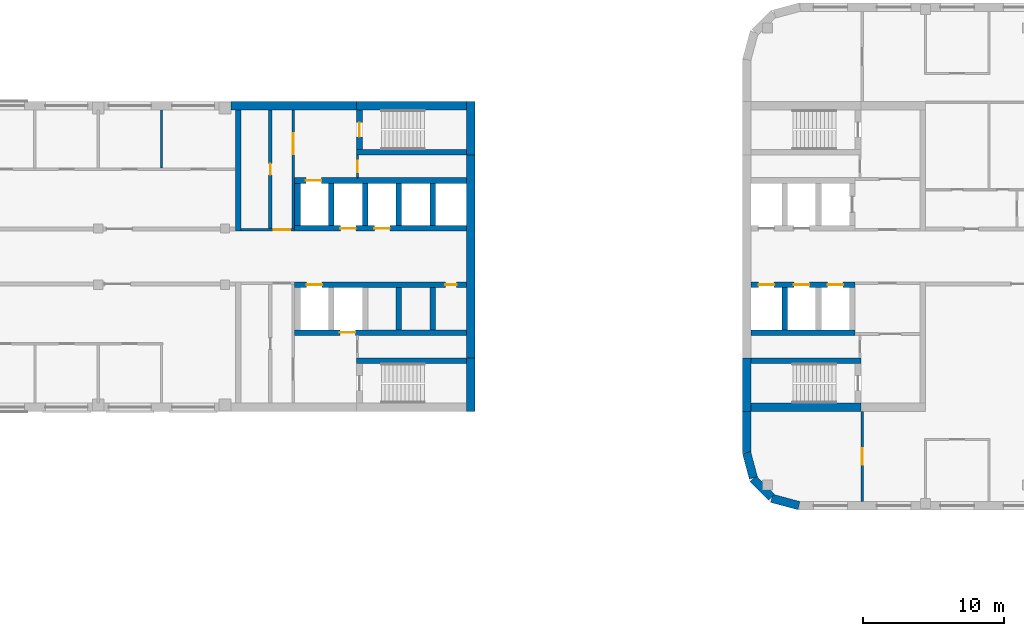
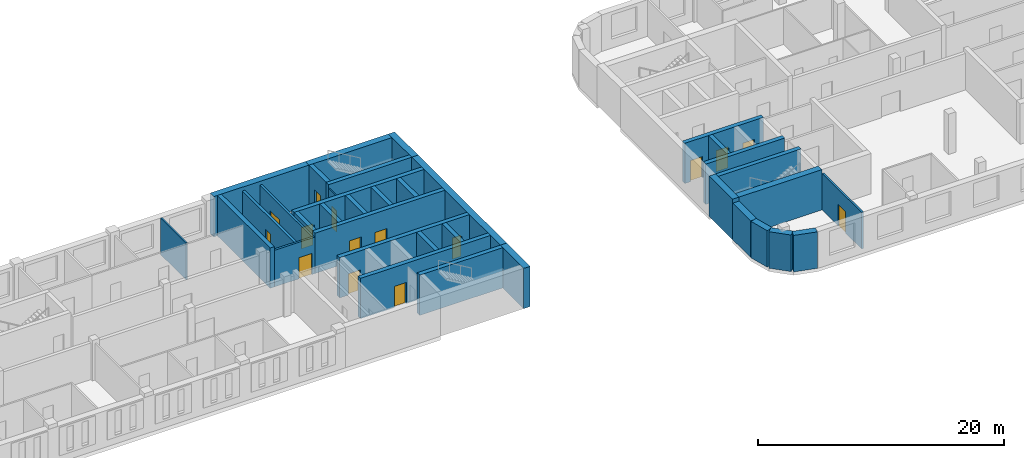
# One storey, part 6 of 12: 36 walls, 15 doors, 15 openings.
"""IFC4 building model written with IfcOpenShell, lengths in metres."""

from ifc_helpers import new_model, si_unit, direction, frame, frame_2d, origin, place, context, subcontext, project, spatial, rectangle, extrude, material, layer, layer_set, type_object, element, fill, save


model = new_model("IFC4")

# Units and contexts
model_context = context("Model", 3, precision=1e-05, world=origin(), true_north=direction((0.0, 1.0)))
body_context = subcontext(model_context, "Body", "Model", "MODEL_VIEW")
ifc_project = project(units=[si_unit("LENGTHUNIT", "METRE"), si_unit("AREAUNIT", "SQUARE_METRE"), si_unit("VOLUMEUNIT", "CUBIC_METRE"), si_unit("PLANEANGLEUNIT", "RADIAN"), si_unit("MASSUNIT", "GRAM", prefix="KILO")], contexts=[model_context])

# Site, building, storey
site_placement = place(None, origin())
site = spatial("IfcSite", under=ifc_project, at=site_placement, CompositionType="ELEMENT")
building_placement = place(site_placement, origin())
building = spatial("IfcBuilding", under=site, at=building_placement, Name="Skarvind Civic Tower", CompositionType="ELEMENT")
storey_placement = place(building_placement, frame((0.0, 0.0, 85.0)))
storey = spatial("IfcBuildingStorey", under=building, at=storey_placement, Name="L19", CompositionType="ELEMENT", Elevation=85.0)

# Wall, opening, door
ifc_material_1 = material(Name="Acoustic gypsum board on steel studs", Category="steel")
ifc_layer_1 = layer(ifc_material_1, 0.175048828125)
ifc_layer_set_1 = layer_set([ifc_layer_1], Name="ACOUSTIC MEETING-ROOM PARTITION 175")
wall_type_1 = type_object("IfcWallType", Name="ACOUSTIC MEETING-ROOM PARTITION 175", PredefinedType="PARTITIONING", material=ifc_layer_set_1)
wall_1_placement = place(storey_placement, frame((135.5, 117.0, 0.0), z_axis=(0.0, 0.0, 1.0), x_axis=(0.0, -1.0, 0.0)))
wall_1 = element("IfcWall", 1, at=wall_1_placement, inside=storey, type_object=wall_type_1, Name="Partition 19.001", PredefinedType="PARTITIONING", context=body_context, shape_type="SweptSolid", body=[
    extrude(rectangle(XDim=6.39990234375, YDim=0.175048828125, at=frame_2d((3.199951171875, 0.0))), origin(), (0.0, 0.0, 1.0), 3.625),
])
opening_1_placement = place(wall_1_placement, frame((2.60009765625, 0.0, 0.0)))
opening_1 = element("IfcOpeningElement", 2, at=opening_1_placement, cuts=wall_1, Name="Opening L19-D111", PredefinedType="OPENING", context=body_context, shape_type="SweptSolid", body=[
    extrude(rectangle(XDim=1.199951171875, YDim=2.10009765625, at=frame_2d((0.60009765625, 1.050048828125))), frame((0.0, 0.097412109375, 0.0), z_axis=(0.0, -1.0, 0.0), x_axis=(1.0, 0.0, 0.0)), (0.0, 0.0, 1.0), 0.195068359375),
])
ifc_material_2 = material(Name="Timber door leaf", Category="wood")
door_type_1 = type_object("IfcDoorType", Name="DOOR 1200X2100 DOUBLE TIMBER", OperationType="NOTDEFINED", PredefinedType="DOOR", material=ifc_material_2)
door_1_placement = place(opening_1_placement, origin())
door_1 = element("IfcDoor", 3, at=door_1_placement, inside=storey, type_object=door_type_1, Name="Door L19-D111", OperationType="DOUBLE_DOOR_SINGLE_SWING", OverallHeight=2.10009765625, OverallWidth=1.199951171875, PredefinedType="DOOR", context=body_context, shape_type="SweptSolid", body=[
    extrude(rectangle(XDim=1.199951171875, YDim=2.10009765625, at=frame_2d((0.60009765625, 1.050048828125))), frame((0.0, 0.02490234375, 0.0), z_axis=(0.0, -1.0, 0.0), x_axis=(1.0, 0.0, 0.0)), (0.0, 0.0, 1.0), 0.050048828125),
])
fill(opening_1, door_1)

ifc_material_3 = material(Name="Fire-rated masonry partition", Category="masonry")
ifc_layer_2 = layer(ifc_material_3, 0.199951171875)
ifc_layer_set_2 = layer_set([ifc_layer_2], Name="Core enclosure wall 200")
wall_type_2 = type_object("IfcWallType", Name="Core enclosure wall 200", PredefinedType="PARTITIONING", material=ifc_layer_set_2)
wall_2_placement = place(storey_placement, frame((91.39990234375, 129.89990234375, 0.0), z_axis=(0.0, 0.0, 1.0), x_axis=(1.0, 0.0, 0.0)))
wall_2 = element("IfcWall", 4, at=wall_2_placement, inside=storey, type_object=wall_type_2, Name="Core wall C1", PredefinedType="PARTITIONING", context=body_context, shape_type="SweptSolid", body=[
    extrude(rectangle(XDim=3.800048828125, YDim=0.199951171875, at=frame_2d((1.89990234375, 0.0))), origin(), (0.0, 0.0, 1.0), 3.625),
])
opening_2_placement = place(wall_2_placement, frame((2.300048828125, 0.0, 0.0)))
opening_2 = element("IfcOpeningElement", 5, at=opening_2_placement, cuts=wall_2, Name="Opening D-L19-C1-10", PredefinedType="OPENING", context=body_context, shape_type="SweptSolid", body=[
    extrude(rectangle(XDim=1.199951171875, YDim=2.10009765625, at=frame_2d((0.60009765625, 1.050048828125))), frame((0.0, 0.10986328125, 0.0), z_axis=(0.0, -1.0, 0.0), x_axis=(1.0, 0.0, 0.0)), (0.0, 0.0, 1.0), 0.219970703125),
])
ifc_material_4 = material(Name="Fire-rated steel door", Category="steel")
door_type_2 = type_object("IfcDoorType", Name="Core lobby door 1200", OperationType="NOTDEFINED", PredefinedType="DOOR", material=ifc_material_4)
door_2_placement = place(opening_2_placement, origin())
door_2 = element("IfcDoor", 6, at=door_2_placement, inside=storey, type_object=door_type_2, Name="Fire door", OperationType="DOUBLE_DOOR_SINGLE_SWING", OverallHeight=2.10009765625, OverallWidth=1.199951171875, PredefinedType="DOOR", context=body_context, shape_type="SweptSolid", body=[
    extrude(rectangle(XDim=1.199951171875, YDim=2.10009765625, at=frame_2d((0.60009765625, 1.050048828125))), frame((0.0, 0.02490234375, 0.0), z_axis=(0.0, -1.0, 0.0), x_axis=(1.0, 0.0, 0.0)), (0.0, 0.0, 1.0), 0.050048828125),
])
fill(opening_2, door_2)

wall_3_placement = place(storey_placement, frame((95.10009765625, 130.0, 0.0), z_axis=(0.0, 0.0, 1.0), x_axis=(0.0, 1.0, 0.0)))
wall_3 = element("IfcWall", 7, at=wall_3_placement, inside=storey, type_object=wall_type_2, Name="Core wall C1", PredefinedType="PARTITIONING", context=body_context, shape_type="SweptSolid", body=[
    extrude(rectangle(XDim=8.39990234375, YDim=0.199951171875, at=frame_2d((4.199951171875, 0.0))), origin(), (0.0, 0.0, 1.0), 3.625),
])
opening_3_placement = place(wall_3_placement, frame((5.25, 0.0, 0.0)))
opening_3 = element("IfcOpeningElement", 8, at=opening_3_placement, cuts=wall_3, Name="Opening D-L19-C1-11", PredefinedType="OPENING", context=body_context, shape_type="SweptSolid", body=[
    extrude(rectangle(XDim=1.5, YDim=2.10009765625, at=frame_2d((0.75, 1.050048828125))), frame((0.0, 0.10986328125, 0.0), z_axis=(0.0, -1.0, 0.0), x_axis=(1.0, 0.0, 0.0)), (0.0, 0.0, 1.0), 0.219970703125),
])
door_type_3 = type_object("IfcDoorType", Name="Fire door 1500", OperationType="NOTDEFINED", PredefinedType="DOOR", material=ifc_material_4)
door_3_placement = place(opening_3_placement, origin())
door_3 = element("IfcDoor", 9, at=door_3_placement, inside=storey, type_object=door_type_3, Name="Fire door", OperationType="DOUBLE_DOOR_SINGLE_SWING", OverallHeight=2.10009765625, OverallWidth=1.5, PredefinedType="DOOR", context=body_context, shape_type="SweptSolid", body=[
    extrude(rectangle(XDim=1.5, YDim=2.10009765625, at=frame_2d((0.75, 1.050048828125))), frame((0.0, 0.02490234375, 0.0), z_axis=(0.0, -1.0, 0.0), x_axis=(1.0, 0.0, 0.0)), (0.0, 0.0, 1.0), 0.050048828125),
])
fill(opening_3, door_3)

# Wall
ifc_material_5 = material(Name="Concrete C80", Category="concrete")
ifc_layer_3 = layer(ifc_material_5, 0.39990234375)
ifc_layer_set_3 = layer_set([ifc_layer_3], Name="Core wall 400 C80")
wall_type_3 = type_object("IfcWallType", Name="Core wall 400 C80", PredefinedType="SHEAR", material=ifc_layer_set_3)
wall_4_placement = place(storey_placement, frame((107.39990234375, 135.39990234375, 0.0), z_axis=(0.0, 0.0, 1.0), x_axis=(-1.0, 0.0, 0.0)))
element("IfcWall", 10, at=wall_4_placement, inside=storey, type_object=wall_type_3, Name="Core wall C1 south stair inner L19", PredefinedType="SHEAR", context=body_context, shape_type="SweptSolid", body=[
    extrude(rectangle(XDim=7.7998046875, YDim=0.39990234375, at=frame_2d((3.89990234375, 0.0))), origin(), (0.0, 0.0, 1.0), 4.0),
])

# Wall, opening, door
wall_5_placement = place(storey_placement, frame((99.800048828125, 138.39990234375, 0.0), z_axis=(0.0, 0.0, 1.0), x_axis=(0.0, -1.0, 0.0)))
wall_5 = element("IfcWall", 11, at=wall_5_placement, inside=storey, type_object=wall_type_3, Name="Core wall C1 south stair end L19", PredefinedType="SHEAR", context=body_context, shape_type="SweptSolid", body=[
    extrude(rectangle(XDim=2.7998046875, YDim=0.39990234375, at=frame_2d((1.39990234375, 0.0))), origin(), (0.0, 0.0, 1.0), 4.0),
])
opening_4_placement = place(wall_5_placement, frame((0.89990234375, 0.0, 0.0)))
opening_4 = element("IfcOpeningElement", 12, at=opening_4_placement, cuts=wall_5, Name="Opening D-L19-C1-12", PredefinedType="OPENING", context=body_context, shape_type="SweptSolid", body=[
    extrude(rectangle(XDim=1.0, YDim=2.10009765625, at=frame_2d((0.5, 1.050048828125))), frame((0.0, 0.2099609375, 0.0), z_axis=(0.0, -1.0, 0.0), x_axis=(1.0, 0.0, 0.0)), (0.0, 0.0, 1.0), 0.419921875),
])
door_type_4 = type_object("IfcDoorType", Name="Fire door 1000", OperationType="NOTDEFINED", PredefinedType="DOOR", material=ifc_material_4)
door_4_placement = place(opening_4_placement, origin())
door_4 = element("IfcDoor", 13, at=door_4_placement, inside=storey, type_object=door_type_4, Name="Fire door", OperationType="SINGLE_SWING_RIGHT", OverallHeight=2.10009765625, OverallWidth=1.0, PredefinedType="DOOR", context=body_context, shape_type="SweptSolid", body=[
    extrude(rectangle(XDim=1.0, YDim=2.10009765625, at=frame_2d((0.5, 1.050048828125))), frame((0.0, 0.02490234375, 0.0), z_axis=(0.0, -1.0, 0.0), x_axis=(1.0, 0.0, 0.0)), (0.0, 0.0, 1.0), 0.050048828125),
])
fill(opening_4, door_4)

# Wall
wall_6_placement = place(storey_placement, frame((107.39990234375, 120.60009765625, 0.0), z_axis=(0.0, 0.0, 1.0), x_axis=(-1.0, 0.0, 0.0)))
element("IfcWall", 14, at=wall_6_placement, inside=storey, type_object=wall_type_3, Name="Core wall C1 north stair inner L19", PredefinedType="SHEAR", context=body_context, shape_type="SweptSolid", body=[
    extrude(rectangle(XDim=7.7998046875, YDim=0.39990234375, at=frame_2d((3.89990234375, 0.0))), origin(), (0.0, 0.0, 1.0), 4.0),
])

# Wall, openings, doors
wall_7_placement = place(storey_placement, frame((107.39990234375, 130.0, 0.0), z_axis=(0.0, 0.0, 1.0), x_axis=(-1.0, 0.0, 0.0)))
wall_7 = element("IfcWall", 15, at=wall_7_placement, inside=storey, type_object=wall_type_3, Name="Core wall C1 south lift row front L19", PredefinedType="SHEAR", context=body_context, shape_type="SweptSolid", body=[
    extrude(rectangle(XDim=12.199951171875, YDim=0.39990234375, at=frame_2d((6.10009765625, 0.0))), origin(), (0.0, 0.0, 1.0), 4.0),
])
opening_5_placement = place(wall_7_placement, frame((5.449951171875, 0.0, 0.0)))
opening_5 = element("IfcOpeningElement", 16, at=opening_5_placement, cuts=wall_7, Name="Opening LD21108", PredefinedType="OPENING", context=body_context, shape_type="SweptSolid", body=[
    extrude(rectangle(XDim=1.10009765625, YDim=2.10009765625, at=frame_2d((0.550048828125, 1.050048828125))), frame((0.0, 0.2099609375, 0.0), z_axis=(0.0, -1.0, 0.0), x_axis=(1.0, 0.0, 0.0)), (0.0, 0.0, 1.0), 0.419921875),
])
opening_6_placement = place(wall_7_placement, frame((7.85009765625, 0.0, 0.0)))
opening_6 = element("IfcOpeningElement", 17, at=opening_6_placement, cuts=wall_7, Name="Opening LD21109", PredefinedType="OPENING", context=body_context, shape_type="SweptSolid", body=[
    extrude(rectangle(XDim=1.10009765625, YDim=2.10009765625, at=frame_2d((0.550048828125, 1.050048828125))), frame((0.0, 0.2099609375, 0.0), z_axis=(0.0, -1.0, 0.0), x_axis=(1.0, 0.0, 0.0)), (0.0, 0.0, 1.0), 0.419921875),
])
ifc_material_6 = material(Name="Stainless steel landing door", Category="steel")
door_type_5 = type_object("IfcDoorType", Name="Lift landing door 1100", OperationType="DOUBLE_DOOR_SLIDING", PredefinedType="DOOR", material=ifc_material_6)
door_5_placement = place(opening_5_placement, origin())
door_5 = element("IfcDoor", 18, at=door_5_placement, inside=storey, type_object=door_type_5, Name="Lift landing door", OperationType="DOUBLE_DOOR_SLIDING", OverallHeight=2.10009765625, OverallWidth=1.10009765625, PredefinedType="DOOR", context=body_context, shape_type="SweptSolid", body=[
    extrude(rectangle(XDim=1.10009765625, YDim=2.10009765625, at=frame_2d((0.550048828125, 1.050048828125))), frame((0.0, 0.02490234375, 0.0), z_axis=(0.0, -1.0, 0.0), x_axis=(1.0, 0.0, 0.0)), (0.0, 0.0, 1.0), 0.050048828125),
])
fill(opening_5, door_5)
door_6_placement = place(opening_6_placement, origin())
door_6 = element("IfcDoor", 19, at=door_6_placement, inside=storey, type_object=door_type_5, Name="Lift landing door", OperationType="DOUBLE_DOOR_SLIDING", OverallHeight=2.10009765625, OverallWidth=1.10009765625, PredefinedType="DOOR", context=body_context, shape_type="SweptSolid", body=[
    extrude(rectangle(XDim=1.10009765625, YDim=2.10009765625, at=frame_2d((0.550048828125, 1.050048828125))), frame((0.0, 0.02490234375, 0.0), z_axis=(0.0, -1.0, 0.0), x_axis=(1.0, 0.0, 0.0)), (0.0, 0.0, 1.0), 0.050048828125),
])
fill(opening_6, door_6)

# Wall, opening, door
wall_8_placement = place(storey_placement, frame((107.39990234375, 133.39990234375, 0.0), z_axis=(0.0, 0.0, 1.0), x_axis=(-1.0, 0.0, 0.0)))
wall_8 = element("IfcWall", 20, at=wall_8_placement, inside=storey, type_object=wall_type_3, Name="Core wall C1 south lift row back L19", PredefinedType="SHEAR", context=body_context, shape_type="SweptSolid", body=[
    extrude(rectangle(XDim=12.199951171875, YDim=0.39990234375, at=frame_2d((6.10009765625, 0.0))), origin(), (0.0, 0.0, 1.0), 4.0),
])
opening_7_placement = place(wall_8_placement, frame((10.300048828125, 0.0, 0.0)))
opening_7 = element("IfcOpeningElement", 21, at=opening_7_placement, cuts=wall_8, Name="Opening LD21110", PredefinedType="OPENING", context=body_context, shape_type="SweptSolid", body=[
    extrude(rectangle(XDim=1.10009765625, YDim=2.10009765625, at=frame_2d((0.550048828125, 1.050048828125))), frame((0.0, 0.2099609375, 0.0), z_axis=(0.0, -1.0, 0.0), x_axis=(1.0, 0.0, 0.0)), (0.0, 0.0, 1.0), 0.419921875),
])
door_7_placement = place(opening_7_placement, origin())
door_7 = element("IfcDoor", 22, at=door_7_placement, inside=storey, type_object=door_type_5, Name="Lift landing door", OperationType="DOUBLE_DOOR_SLIDING", OverallHeight=2.10009765625, OverallWidth=1.10009765625, PredefinedType="DOOR", context=body_context, shape_type="SweptSolid", body=[
    extrude(rectangle(XDim=1.10009765625, YDim=2.10009765625, at=frame_2d((0.550048828125, 1.050048828125))), frame((0.0, 0.02490234375, 0.0), z_axis=(0.0, -1.0, 0.0), x_axis=(1.0, 0.0, 0.0)), (0.0, 0.0, 1.0), 0.050048828125),
])
fill(opening_7, door_7)

# Walls
for number, where, z_axis, x_axis, name in (
    (23, (105.0, 133.199951171875, 0.0), (0.0, 0.0, 1.0), (0.0, -1.0, 0.0), "Core wall C1 south lift row division 1 L19"),
    (24, (102.60009765625, 133.199951171875, 0.0), (0.0, 0.0, 1.0), (0.0, -1.0, 0.0), "Core wall C1 south lift row division 2 L19"),
    (25, (100.199951171875, 133.199951171875, 0.0), (0.0, 0.0, 1.0), (0.0, -1.0, 0.0), "Core wall C1 south lift row division 3 L19"),
    (26, (97.800048828125, 133.199951171875, 0.0), (0.0, 0.0, 1.0), (0.0, -1.0, 0.0), "Core wall C1 south lift row division 4 L19"),
    (27, (95.39990234375, 133.199951171875, 0.0), (0.0, 0.0, 1.0), (0.0, -1.0, 0.0), "Core wall C1 south lift row division 5 L19"),
):
    element("IfcWall", number, at=place(storey_placement, frame(where, z_axis=z_axis, x_axis=x_axis)), inside=storey, type_object=wall_type_3, Name=name, PredefinedType="SHEAR", context=body_context, shape_type="SweptSolid", body=[
        extrude(rectangle(XDim=3.0, YDim=0.39990234375, at=frame_2d((1.5, 0.0))), origin(), (0.0, 0.0, 1.0), 4.0),
    ])

# Wall, openings, doors
wall_9_placement = place(storey_placement, frame((107.39990234375, 126.0, 0.0), z_axis=(0.0, 0.0, 1.0), x_axis=(-1.0, 0.0, 0.0)))
wall_9 = element("IfcWall", 28, at=wall_9_placement, inside=storey, type_object=wall_type_3, Name="Core wall C1 north lift row front L19", PredefinedType="SHEAR", context=body_context, shape_type="SweptSolid", body=[
    extrude(rectangle(XDim=12.199951171875, YDim=0.39990234375, at=frame_2d((6.10009765625, 0.0))), origin(), (0.0, 0.0, 1.0), 4.0),
])
opening_8_placement = place(wall_9_placement, frame((10.25, 0.0, 0.0)))
opening_8 = element("IfcOpeningElement", 29, at=opening_8_placement, cuts=wall_9, Name="Opening LD21105", PredefinedType="OPENING", context=body_context, shape_type="SweptSolid", body=[
    extrude(rectangle(XDim=1.10009765625, YDim=2.10009765625, at=frame_2d((0.550048828125, 1.050048828125))), frame((0.0, 0.2099609375, 0.0), z_axis=(0.0, -1.0, 0.0), x_axis=(1.0, 0.0, 0.0)), (0.0, 0.0, 1.0), 0.419921875),
])
opening_9_placement = place(wall_9_placement, frame((0.699951171875, 0.0, 0.0)))
opening_9 = element("IfcOpeningElement", 30, at=opening_9_placement, cuts=wall_9, Name="Opening D-L19-C1-04", PredefinedType="OPENING", context=body_context, shape_type="SweptSolid", body=[
    extrude(rectangle(XDim=0.800048828125, YDim=2.10009765625, at=frame_2d((0.39990234375, 1.050048828125))), frame((0.0, 0.2099609375, 0.0), z_axis=(0.0, -1.0, 0.0), x_axis=(1.0, 0.0, 0.0)), (0.0, 0.0, 1.0), 0.419921875),
])
door_type_6 = type_object("IfcDoorType", Name="Core riser door 800", OperationType="NOTDEFINED", PredefinedType="DOOR", material=ifc_material_4)
door_8_placement = place(opening_9_placement, origin())
door_8 = element("IfcDoor", 31, at=door_8_placement, inside=storey, type_object=door_type_6, Name="Riser door", OperationType="SINGLE_SWING_LEFT", OverallHeight=2.10009765625, OverallWidth=0.800048828125, PredefinedType="DOOR", context=body_context, shape_type="SweptSolid", body=[
    extrude(rectangle(XDim=0.800048828125, YDim=2.10009765625, at=frame_2d((0.39990234375, 1.050048828125))), frame((0.0, 0.02490234375, 0.0), z_axis=(0.0, -1.0, 0.0), x_axis=(1.0, 0.0, 0.0)), (0.0, 0.0, 1.0), 0.050048828125),
])
fill(opening_9, door_8)
door_9_placement = place(opening_8_placement, origin())
door_9 = element("IfcDoor", 32, at=door_9_placement, inside=storey, type_object=door_type_5, Name="Lift landing door", OperationType="DOUBLE_DOOR_SLIDING", OverallHeight=2.10009765625, OverallWidth=1.10009765625, PredefinedType="DOOR", context=body_context, shape_type="SweptSolid", body=[
    extrude(rectangle(XDim=1.10009765625, YDim=2.10009765625, at=frame_2d((0.550048828125, 1.050048828125))), frame((0.0, 0.02490234375, 0.0), z_axis=(0.0, -1.0, 0.0), x_axis=(1.0, 0.0, 0.0)), (0.0, 0.0, 1.0), 0.050048828125),
])
fill(opening_8, door_9)

# Wall, opening, door
wall_10_placement = place(storey_placement, frame((107.39990234375, 122.60009765625, 0.0), z_axis=(0.0, 0.0, 1.0), x_axis=(-1.0, 0.0, 0.0)))
wall_10 = element("IfcWall", 33, at=wall_10_placement, inside=storey, type_object=wall_type_3, Name="Core wall C1 north lift row back L19", PredefinedType="SHEAR", context=body_context, shape_type="SweptSolid", body=[
    extrude(rectangle(XDim=12.199951171875, YDim=0.39990234375, at=frame_2d((6.10009765625, 0.0))), origin(), (0.0, 0.0, 1.0), 4.0),
])
opening_10_placement = place(wall_10_placement, frame((7.89990234375, 0.0, 0.0)))
opening_10 = element("IfcOpeningElement", 34, at=opening_10_placement, cuts=wall_10, Name="Opening LD21104", PredefinedType="OPENING", context=body_context, shape_type="SweptSolid", body=[
    extrude(rectangle(XDim=1.10009765625, YDim=2.10009765625, at=frame_2d((0.550048828125, 1.050048828125))), frame((0.0, 0.2099609375, 0.0), z_axis=(0.0, -1.0, 0.0), x_axis=(1.0, 0.0, 0.0)), (0.0, 0.0, 1.0), 0.419921875),
])
door_10_placement = place(opening_10_placement, origin())
door_10 = element("IfcDoor", 35, at=door_10_placement, inside=storey, type_object=door_type_5, Name="Lift landing door", OperationType="DOUBLE_DOOR_SLIDING", OverallHeight=2.10009765625, OverallWidth=1.10009765625, PredefinedType="DOOR", context=body_context, shape_type="SweptSolid", body=[
    extrude(rectangle(XDim=1.10009765625, YDim=2.10009765625, at=frame_2d((0.550048828125, 1.050048828125))), frame((0.0, 0.02490234375, 0.0), z_axis=(0.0, -1.0, 0.0), x_axis=(1.0, 0.0, 0.0)), (0.0, 0.0, 1.0), 0.050048828125),
])
fill(opening_10, door_10)

# Walls
for number, where, z_axis, x_axis, name in (
    (36, (105.0, 125.800048828125, 0.0), (0.0, 0.0, 1.0), (0.0, -1.0, 0.0), "Core wall C1 north lift row division 1 L19"),
    (37, (102.60009765625, 125.800048828125, 0.0), (0.0, 0.0, 1.0), (0.0, -1.0, 0.0), "Core wall C1 north lift row division 2 L19"),
):
    element("IfcWall", number, at=place(storey_placement, frame(where, z_axis=z_axis, x_axis=x_axis)), inside=storey, type_object=wall_type_3, Name=name, PredefinedType="SHEAR", context=body_context, shape_type="SweptSolid", body=[
        extrude(rectangle(XDim=3.0, YDim=0.39990234375, at=frame_2d((1.5, 0.0))), origin(), (0.0, 0.0, 1.0), 4.0),
    ])
wall_11_placement = place(storey_placement, frame((91.199951171875, 138.39990234375, 0.0), z_axis=(0.0, 0.0, 1.0), x_axis=(0.0, -1.0, 0.0)))
element("IfcWall", 38, at=wall_11_placement, inside=storey, type_object=wall_type_3, Name="Core wall C1 south inner face L19", PredefinedType="SHEAR", context=body_context, shape_type="SweptSolid", body=[
    extrude(rectangle(XDim=8.599853515625, YDim=0.39990234375, at=frame_2d((4.2998046875, 0.0))), origin(), (0.0, 0.0, 1.0), 4.0),
])
wall_12_placement = place(storey_placement, frame((127.60009765625, 120.60009765625, 0.0), z_axis=(0.0, 0.0, 1.0), x_axis=(1.0, 0.0, 0.0)))
element("IfcWall", 39, at=wall_12_placement, inside=storey, type_object=wall_type_3, Name="Core wall CA south stair inner L19", PredefinedType="SHEAR", context=body_context, shape_type="SweptSolid", body=[
    extrude(rectangle(XDim=7.7998046875, YDim=0.39990234375, at=frame_2d((3.89990234375, 0.0))), origin(), (0.0, 0.0, 1.0), 4.0),
])

# Wall, openings, doors
wall_13_placement = place(storey_placement, frame((127.60009765625, 126.0, 0.0), z_axis=(0.0, 0.0, 1.0), x_axis=(1.0, 0.0, 0.0)))
wall_13 = element("IfcWall", 40, at=wall_13_placement, inside=storey, type_object=wall_type_3, Name="Core wall CA south lift row front L19", PredefinedType="SHEAR", context=body_context, shape_type="SweptSolid", body=[
    extrude(rectangle(XDim=7.39990234375, YDim=0.39990234375, at=frame_2d((3.699951171875, 0.0))), origin(), (0.0, 0.0, 1.0), 4.0),
])
opening_11_placement = place(wall_13_placement, frame((0.550048828125, 0.0, 0.0)))
opening_11 = element("IfcOpeningElement", 41, at=opening_11_placement, cuts=wall_13, Name="Opening LD21304", PredefinedType="OPENING", context=body_context, shape_type="SweptSolid", body=[
    extrude(rectangle(XDim=1.10009765625, YDim=2.10009765625, at=frame_2d((0.550048828125, 1.050048828125))), frame((0.0, 0.2099609375, 0.0), z_axis=(0.0, -1.0, 0.0), x_axis=(1.0, 0.0, 0.0)), (0.0, 0.0, 1.0), 0.419921875),
])
opening_12_placement = place(wall_13_placement, frame((3.050048828125, 0.0, 0.0)))
opening_12 = element("IfcOpeningElement", 42, at=opening_12_placement, cuts=wall_13, Name="Opening LD21305", PredefinedType="OPENING", context=body_context, shape_type="SweptSolid", body=[
    extrude(rectangle(XDim=1.10009765625, YDim=2.10009765625, at=frame_2d((0.550048828125, 1.050048828125))), frame((0.0, 0.2099609375, 0.0), z_axis=(0.0, -1.0, 0.0), x_axis=(1.0, 0.0, 0.0)), (0.0, 0.0, 1.0), 0.419921875),
])
opening_13_placement = place(wall_13_placement, frame((5.449951171875, 0.0, 0.0)))
opening_13 = element("IfcOpeningElement", 43, at=opening_13_placement, cuts=wall_13, Name="Opening LD21306", PredefinedType="OPENING", context=body_context, shape_type="SweptSolid", body=[
    extrude(rectangle(XDim=1.10009765625, YDim=2.10009765625, at=frame_2d((0.550048828125, 1.050048828125))), frame((0.0, 0.2099609375, 0.0), z_axis=(0.0, -1.0, 0.0), x_axis=(1.0, 0.0, 0.0)), (0.0, 0.0, 1.0), 0.419921875),
])
door_11_placement = place(opening_11_placement, origin())
door_11 = element("IfcDoor", 44, at=door_11_placement, inside=storey, type_object=door_type_5, Name="Lift landing door", OperationType="DOUBLE_DOOR_SLIDING", OverallHeight=2.10009765625, OverallWidth=1.10009765625, PredefinedType="DOOR", context=body_context, shape_type="SweptSolid", body=[
    extrude(rectangle(XDim=1.10009765625, YDim=2.10009765625, at=frame_2d((0.550048828125, 1.050048828125))), frame((0.0, 0.02490234375, 0.0), z_axis=(0.0, -1.0, 0.0), x_axis=(1.0, 0.0, 0.0)), (0.0, 0.0, 1.0), 0.050048828125),
])
fill(opening_11, door_11)
door_12_placement = place(opening_12_placement, origin())
door_12 = element("IfcDoor", 45, at=door_12_placement, inside=storey, type_object=door_type_5, Name="Lift landing door", OperationType="DOUBLE_DOOR_SLIDING", OverallHeight=2.10009765625, OverallWidth=1.10009765625, PredefinedType="DOOR", context=body_context, shape_type="SweptSolid", body=[
    extrude(rectangle(XDim=1.10009765625, YDim=2.10009765625, at=frame_2d((0.550048828125, 1.050048828125))), frame((0.0, 0.02490234375, 0.0), z_axis=(0.0, -1.0, 0.0), x_axis=(1.0, 0.0, 0.0)), (0.0, 0.0, 1.0), 0.050048828125),
])
fill(opening_12, door_12)
door_13_placement = place(opening_13_placement, origin())
door_13 = element("IfcDoor", 46, at=door_13_placement, inside=storey, type_object=door_type_5, Name="Lift landing door", OperationType="DOUBLE_DOOR_SLIDING", OverallHeight=2.10009765625, OverallWidth=1.10009765625, PredefinedType="DOOR", context=body_context, shape_type="SweptSolid", body=[
    extrude(rectangle(XDim=1.10009765625, YDim=2.10009765625, at=frame_2d((0.550048828125, 1.050048828125))), frame((0.0, 0.02490234375, 0.0), z_axis=(0.0, -1.0, 0.0), x_axis=(1.0, 0.0, 0.0)), (0.0, 0.0, 1.0), 0.050048828125),
])
fill(opening_13, door_13)

# Walls
wall_14_placement = place(storey_placement, frame((127.60009765625, 122.60009765625, 0.0), z_axis=(0.0, 0.0, 1.0), x_axis=(1.0, 0.0, 0.0)))
element("IfcWall", 47, at=wall_14_placement, inside=storey, type_object=wall_type_3, Name="Core wall CA south lift row back L19", PredefinedType="SHEAR", context=body_context, shape_type="SweptSolid", body=[
    extrude(rectangle(XDim=7.39990234375, YDim=0.39990234375, at=frame_2d((3.699951171875, 0.0))), origin(), (0.0, 0.0, 1.0), 4.0),
])
wall_15_placement = place(storey_placement, frame((130.0, 122.800048828125, 0.0), z_axis=(0.0, 0.0, 1.0), x_axis=(0.0, 1.0, 0.0)))
element("IfcWall", 48, at=wall_15_placement, inside=storey, type_object=wall_type_3, Name="Core wall CA south lift row division 1 L19", PredefinedType="SHEAR", context=body_context, shape_type="SweptSolid", body=[
    extrude(rectangle(XDim=3.0, YDim=0.39990234375, at=frame_2d((1.5, 0.0))), origin(), (0.0, 0.0, 1.0), 4.0),
])
ifc_layer_4 = layer(ifc_material_5, 0.60009765625)
ifc_layer_set_4 = layer_set([ifc_layer_4], Name="Core wall 600 C80")
wall_type_4 = type_object("IfcWallType", Name="Core wall 600 C80", PredefinedType="SHEAR", material=ifc_layer_set_4)
wall_16_placement = place(storey_placement, frame((107.699951171875, 139.0, 0.0), z_axis=(0.0, 0.0, 1.0), x_axis=(0.0, -1.0, 0.0)))
element("IfcWall", 49, at=wall_16_placement, inside=storey, type_object=wall_type_4, Name="Core wall C1 tip at the south stair L19", PredefinedType="SHEAR", context=body_context, shape_type="SweptSolid", body=[
    extrude(rectangle(XDim=3.800048828125, YDim=0.60009765625, at=frame_2d((1.89990234375, 0.0))), origin(), (0.0, 0.0, 1.0), 4.0),
])
wall_17_placement = place(storey_placement, frame((107.699951171875, 135.199951171875, 0.0), z_axis=(0.0, 0.0, 1.0), x_axis=(0.0, -1.0, 0.0)))
element("IfcWall", 50, at=wall_17_placement, inside=storey, type_object=wall_type_4, Name="Core wall C1 tip between the stairs L19", PredefinedType="SHEAR", context=body_context, shape_type="SweptSolid", body=[
    extrude(rectangle(XDim=14.39990234375, YDim=0.60009765625, at=frame_2d((7.199951171875, 0.0))), origin(), (0.0, 0.0, 1.0), 4.0),
])
wall_18_placement = place(storey_placement, frame((107.699951171875, 120.800048828125, 0.0), z_axis=(0.0, 0.0, 1.0), x_axis=(0.0, -1.0, 0.0)))
element("IfcWall", 51, at=wall_18_placement, inside=storey, type_object=wall_type_4, Name="Core wall C1 tip at the north stair L19", PredefinedType="SHEAR", context=body_context, shape_type="SweptSolid", body=[
    extrude(rectangle(XDim=3.800048828125, YDim=0.60009765625, at=frame_2d((1.89990234375, 0.0))), origin(), (0.0, 0.0, 1.0), 4.0),
])
wall_19_placement = place(storey_placement, frame((107.39990234375, 138.699951171875, 0.0), z_axis=(0.0, 0.0, 1.0), x_axis=(-1.0, 0.0, 0.0)))
element("IfcWall", 52, at=wall_19_placement, inside=storey, type_object=wall_type_4, Name="Core wall C1 south side at the stair L19", PredefinedType="SHEAR", context=body_context, shape_type="SweptSolid", body=[
    extrude(rectangle(XDim=7.7998046875, YDim=0.60009765625, at=frame_2d((3.89990234375, 0.0))), origin(), (0.0, 0.0, 1.0), 4.0),
])
wall_20_placement = place(storey_placement, frame((99.60009765625, 138.699951171875, 0.0), z_axis=(0.0, 0.0, 1.0), x_axis=(-1.0, 0.0, 0.0)))
element("IfcWall", 53, at=wall_20_placement, inside=storey, type_object=wall_type_4, Name="Core wall C1 south side L19", PredefinedType="SHEAR", context=body_context, shape_type="SweptSolid", body=[
    extrude(rectangle(XDim=8.925048828125, YDim=0.60009765625, at=frame_2d((4.46240234375, 0.0))), origin(), (0.0, 0.0, 1.0), 4.0),
])
wall_21_placement = place(storey_placement, frame((127.300048828125, 117.0, 0.0), z_axis=(0.0, 0.0, 1.0), x_axis=(0.0, 1.0, 0.0)))
element("IfcWall", 54, at=wall_21_placement, inside=storey, type_object=wall_type_4, Name="Core wall CA tip at the south stair L19", PredefinedType="SHEAR", context=body_context, shape_type="SweptSolid", body=[
    extrude(rectangle(XDim=3.800048828125, YDim=0.60009765625, at=frame_2d((1.89990234375, 0.0))), origin(), (0.0, 0.0, 1.0), 4.0),
])
wall_22_placement = place(storey_placement, frame((127.60009765625, 117.300048828125, 0.0), z_axis=(0.0, 0.0, 1.0), x_axis=(1.0, 0.0, 0.0)))
element("IfcWall", 55, at=wall_22_placement, inside=storey, type_object=wall_type_4, Name="Core wall CA south side at the stair L19", PredefinedType="SHEAR", context=body_context, shape_type="SweptSolid", body=[
    extrude(rectangle(XDim=7.7998046875, YDim=0.60009765625, at=frame_2d((3.89990234375, 0.0))), origin(), (0.0, 0.0, 1.0), 4.0),
])
ifc_material_7 = material(Name="Plasterboard partition on steel studs", Category="steel")
ifc_layer_5 = layer(ifc_material_7, 0.14990234375)
ifc_layer_set_5 = layer_set([ifc_layer_5], Name="PARTITION 150")
wall_type_5 = type_object("IfcWallType", Name="PARTITION 150", PredefinedType="PARTITIONING", material=ifc_layer_set_5)
wall_23_placement = place(storey_placement, frame((85.75, 134.27490234375, 0.0), z_axis=(0.0, 0.0, 1.0), x_axis=(0.0, 1.0, 0.0)))
element("IfcWall", 56, at=wall_23_placement, inside=storey, type_object=wall_type_5, Name="Partition 19.038", PredefinedType="PARTITIONING", context=body_context, shape_type="SweptSolid", body=[
    extrude(rectangle(XDim=4.125, YDim=0.14990234375, at=frame_2d((2.0625, 0.0))), origin(), (0.0, 0.0, 1.0), 3.625),
])

# Wall, opening, door
ifc_layer_6 = layer(ifc_material_3, 0.125)
ifc_layer_set_6 = layer_set([ifc_layer_6], Name="Riser wall 125")
wall_type_6 = type_object("IfcWallType", Name="Riser wall 125", PredefinedType="PARTITIONING", material=ifc_layer_set_6)
wall_24_placement = place(storey_placement, frame((99.66259765625, 133.60009765625, 0.0), z_axis=(0.0, 0.0, 1.0), x_axis=(0.0, 1.0, 0.0)))
wall_24 = element("IfcWall", 57, at=wall_24_placement, inside=storey, type_object=wall_type_6, Name="Core wall C1", PredefinedType="PARTITIONING", context=body_context, shape_type="SweptSolid", body=[
    extrude(rectangle(XDim=1.599853515625, YDim=0.125, at=frame_2d((0.7998046875, 0.0))), origin(), (0.0, 0.0, 1.0), 3.625),
])
opening_14_placement = place(wall_24_placement, frame((0.39990234375, 0.0, 0.0)))
opening_14 = element("IfcOpeningElement", 58, at=opening_14_placement, cuts=wall_24, Name="Opening D-L19-C1-13", PredefinedType="OPENING", context=body_context, shape_type="SweptSolid", body=[
    extrude(rectangle(XDim=0.800048828125, YDim=2.10009765625, at=frame_2d((0.39990234375, 1.050048828125))), frame((0.0, 0.072509765625, 0.0), z_axis=(0.0, -1.0, 0.0), x_axis=(1.0, 0.0, 0.0)), (0.0, 0.0, 1.0), 0.14501953125),
])
door_14_placement = place(opening_14_placement, origin())
door_14 = element("IfcDoor", 59, at=door_14_placement, inside=storey, type_object=door_type_6, Name="Riser door", OperationType="SINGLE_SWING_LEFT", OverallHeight=2.10009765625, OverallWidth=0.800048828125, PredefinedType="DOOR", context=body_context, shape_type="SweptSolid", body=[
    extrude(rectangle(XDim=0.800048828125, YDim=2.10009765625, at=frame_2d((0.39990234375, 1.050048828125))), frame((0.0, 0.02490234375, 0.0), z_axis=(0.0, -1.0, 0.0), x_axis=(1.0, 0.0, 0.0)), (0.0, 0.0, 1.0), 0.050048828125),
])
fill(opening_14, door_14)

ifc_layer_7 = layer(ifc_material_3, 0.25)
ifc_layer_set_7 = layer_set([ifc_layer_7], Name="Service block wall 250")
wall_type_7 = type_object("IfcWallType", Name="Service block wall 250", PredefinedType="PARTITIONING", material=ifc_layer_set_7)
wall_25_placement = place(storey_placement, frame((93.47509765625, 130.0, 0.0), z_axis=(0.0, 0.0, 1.0), x_axis=(0.0, 1.0, 0.0)))
wall_25 = element("IfcWall", 60, at=wall_25_placement, inside=storey, type_object=wall_type_7, Name="Core wall C1", PredefinedType="PARTITIONING", context=body_context, shape_type="SweptSolid", body=[
    extrude(rectangle(XDim=8.39990234375, YDim=0.25, at=frame_2d((4.199951171875, 0.0))), origin(), (0.0, 0.0, 1.0), 3.625),
])
opening_15_placement = place(wall_25_placement, frame((3.800048828125, 0.0, 0.0)))
opening_15 = element("IfcOpeningElement", 61, at=opening_15_placement, cuts=wall_25, Name="Opening D-L19-C1-14", PredefinedType="OPENING", context=body_context, shape_type="SweptSolid", body=[
    extrude(rectangle(XDim=0.800048828125, YDim=2.10009765625, at=frame_2d((0.39990234375, 1.050048828125))), frame((0.0, 0.135009765625, 0.0), z_axis=(0.0, -1.0, 0.0), x_axis=(1.0, 0.0, 0.0)), (0.0, 0.0, 1.0), 0.27001953125),
])
door_15_placement = place(opening_15_placement, origin())
door_15 = element("IfcDoor", 62, at=door_15_placement, inside=storey, type_object=door_type_6, Name="Riser door", OperationType="SINGLE_SWING_RIGHT", OverallHeight=2.10009765625, OverallWidth=0.800048828125, PredefinedType="DOOR", context=body_context, shape_type="SweptSolid", body=[
    extrude(rectangle(XDim=0.800048828125, YDim=2.10009765625, at=frame_2d((0.39990234375, 1.050048828125))), frame((0.0, 0.02490234375, 0.0), z_axis=(0.0, -1.0, 0.0), x_axis=(1.0, 0.0, 0.0)), (0.0, 0.0, 1.0), 0.050048828125),
])
fill(opening_15, door_15)

# Walls
ifc_material_8 = material(Name="Limestone masonry cladding on insulated backing", Category="masonry")
ifc_layer_8 = layer(ifc_material_8, 0.60009765625)
ifc_layer_set_8 = layer_set([ifc_layer_8], Name="WX1 STONE FACADE WALL 600")
wall_type_8 = type_object("IfcWallType", Name="WX1 STONE FACADE WALL 600", PredefinedType="SOLIDWALL", material=ifc_layer_set_8)
wall_26_placement = place(storey_placement, frame((127.300048828125, 114.070068359375, 0.0), z_axis=(0.0, 0.0, 1.0), x_axis=(0.0, 1.0, 0.0)))
element("IfcWall", 63, at=wall_26_placement, inside=storey, type_object=wall_type_8, Name="STONE FACADE WALL", PredefinedType="SOLIDWALL", context=body_context, shape_type="SweptSolid", body=[
    extrude(rectangle(XDim=2.909912109375, YDim=0.60009765625, at=frame_2d((1.455078125, 0.0))), origin(), (0.0, 0.0, 1.0), 3.625),
])
for number, where, z_axis, x_axis, name in (
    (64, (127.771240234375, 112.280517578125, 0.0), (0.0, 0.0, 1.0), (-0.258773254036, 0.965938094805, 0.0), "STONE FACADE WALL"),
    (65, (129.063720703125, 110.896484375, 0.0), (0.0, 0.0, 1.0), (-0.707106781187, 0.707106781187, 0.0), "STONE FACADE WALL"),
):
    element("IfcWall", number, at=place(storey_placement, frame(where, z_axis=z_axis, x_axis=x_axis)), inside=storey, type_object=wall_type_8, Name=name, PredefinedType="SOLIDWALL", context=body_context, shape_type="SweptSolid", body=[
        extrude(rectangle(XDim=1.860595703125, YDim=0.60009765625, at=frame_2d((0.93017578125, 0.0))), origin(), (0.0, 0.0, 1.0), 3.625),
    ])
wall_27_placement = place(storey_placement, frame((131.010009765625, 110.307861328125, 0.0), z_axis=(0.0, 0.0, 1.0), x_axis=(-0.965920269068, 0.258839784042, 0.0)))
element("IfcWall", 66, at=wall_27_placement, inside=storey, type_object=wall_type_8, Name="STONE FACADE WALL", PredefinedType="SOLIDWALL", context=body_context, shape_type="SweptSolid", body=[
    extrude(rectangle(XDim=2.00048828125, YDim=0.60009765625, at=frame_2d((1.000244140625, 0.0))), origin(), (0.0, 0.0, 1.0), 3.625),
])

save(model, "model.ifc")
